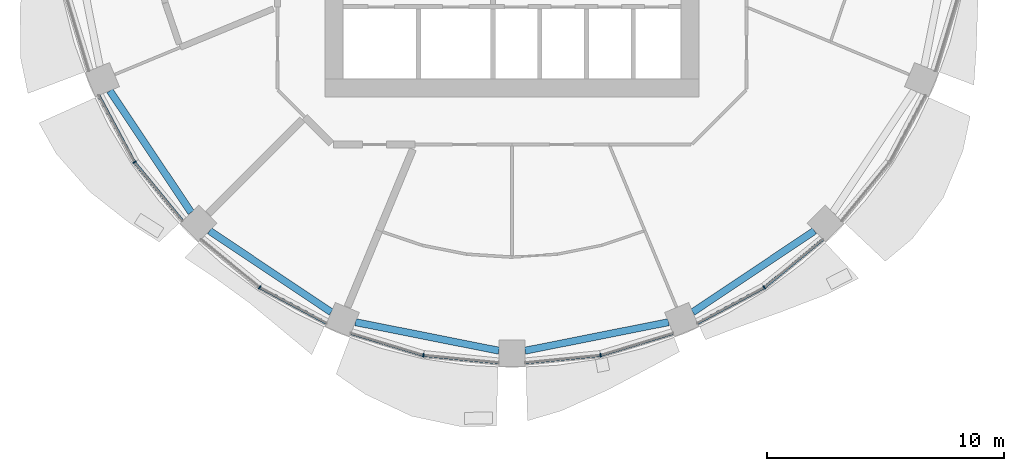
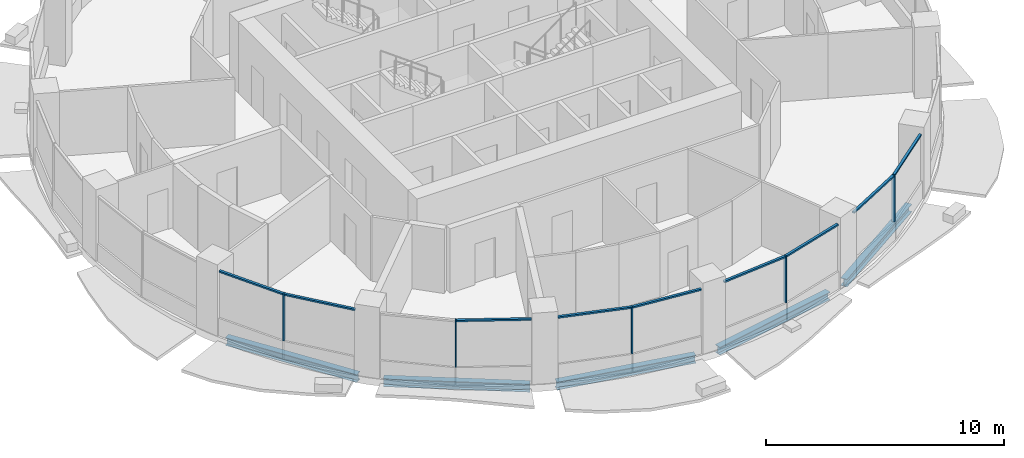
# One storey, part 2 of 14: 14 members, 5 beams, 5 elements without a shape of their own.
"""IFC4 building model written with IfcOpenShell, lengths in metres."""

from ifc_helpers import new_model, si_unit, direction, frame, origin, origin_2d, place, context, subcontext, project, spatial, rectangle, i_section, extrude, material, material_profile, profile_set, type_object, element, aggregate, save


model = new_model("IFC4")

# Units and contexts
model_context = context("Model", 3, precision=1e-05, world=origin(), true_north=direction((0.0, 1.0)))
body_context = subcontext(model_context, "Body", "Model", "MODEL_VIEW")
ifc_project = project(units=[si_unit("LENGTHUNIT", "METRE"), si_unit("AREAUNIT", "SQUARE_METRE"), si_unit("VOLUMEUNIT", "CUBIC_METRE"), si_unit("PLANEANGLEUNIT", "RADIAN"), si_unit("MASSUNIT", "GRAM", prefix="KILO")], contexts=[model_context])

# Site, building, storey
site_placement = place(None, origin())
site = spatial("IfcSite", under=ifc_project, at=site_placement, CompositionType="ELEMENT")
building_placement = place(site_placement, origin())
building = spatial("IfcBuilding", under=site, at=building_placement, Name="Polderwave Tower", CompositionType="ELEMENT")
storey_placement = place(building_placement, frame((0.0, 0.0, 101.949951171875)))
storey = spatial("IfcBuildingStorey", under=building, at=storey_placement, Name="L26", CompositionType="ELEMENT", Elevation=101.949951171875)

# Curtain wall, member
ifc_material_1 = material(Name="Aluminium 6063-T6 and glass", Category="aluminium")
curtain_wall_type = type_object("IfcCurtainWallType", Name="Growing floor ribbon glazing wall", PredefinedType="NOTDEFINED", material=ifc_material_1)
curtain_wall_1_placement = place(storey_placement, origin())
curtain_wall_1 = element("IfcCurtainWall", 1, at=curtain_wall_1_placement, inside=storey, type_object=curtain_wall_type, Name="CW2 L26 09", PredefinedType="NOTDEFINED")
ifc_material_2 = material(Name="Aluminium 6063-T6", Category="aluminium")
ifc_material_profile_1 = material_profile(ifc_material_2, rectangle(XDim=0.14990234375, YDim=0.06005859375, at=origin_2d()), Name="AL 60x150")
ifc_profile_set_1 = profile_set([ifc_material_profile_1], Name="Aluminium 6063-T6")
member_type_1 = type_object("IfcMemberType", Name="Growing floor ribbon glazing mullion 60x150", PredefinedType="MULLION", material=ifc_profile_set_1)
member_1_placement = place(storey_placement, frame((-15.89794921875, -10.623046875, 0.900146484375), z_axis=(0.0, 0.0, 1.0), x_axis=(0.831467672992, 0.555573135393, 0.0)))
member_1 = element("IfcMember", 2, at=member_1_placement, type_object=member_type_1, Name="CW2 mullion 1", PredefinedType="MULLION", context=body_context, shape_type="SweptSolid", body=[
    extrude(rectangle(XDim=0.14990234375, YDim=0.06005859375, at=origin_2d()), origin(), (0.0, 0.0, 1.0), 2.39990234375),
])

curtain_wall_2_placement = place(storey_placement, origin())
curtain_wall_2 = element("IfcCurtainWall", 3, at=curtain_wall_2_placement, inside=storey, type_object=curtain_wall_type, Name="CW2 L26 10", PredefinedType="NOTDEFINED")
member_2_placement = place(storey_placement, frame((-10.623046875, -15.89794921875, 0.900146484375), z_axis=(0.0, 0.0, 1.0), x_axis=(0.555573135393, 0.831467672992, 0.0)))
member_2 = element("IfcMember", 4, at=member_2_placement, type_object=member_type_1, Name="CW2 mullion 1", PredefinedType="MULLION", context=body_context, shape_type="SweptSolid", body=[
    extrude(rectangle(XDim=0.14990234375, YDim=0.06005859375, at=origin_2d()), origin(), (0.0, 0.0, 1.0), 2.39990234375),
])

curtain_wall_3_placement = place(storey_placement, origin())
curtain_wall_3 = element("IfcCurtainWall", 5, at=curtain_wall_3_placement, inside=storey, type_object=curtain_wall_type, Name="CW2 L26 11", PredefinedType="NOTDEFINED")
member_3_placement = place(storey_placement, frame((-3.72998046875, -18.7529296875, 0.900146484375), z_axis=(0.0, 0.0, 1.0), x_axis=(0.195112575278, 0.980780853692, 0.0)))
member_3 = element("IfcMember", 6, at=member_3_placement, type_object=member_type_1, Name="CW2 mullion 1", PredefinedType="MULLION", context=body_context, shape_type="SweptSolid", body=[
    extrude(rectangle(XDim=0.14990234375, YDim=0.06005859375, at=origin_2d()), origin(), (0.0, 0.0, 1.0), 2.39990234375),
])

curtain_wall_4_placement = place(storey_placement, origin())
curtain_wall_4 = element("IfcCurtainWall", 7, at=curtain_wall_4_placement, inside=storey, type_object=curtain_wall_type, Name="CW2 L26 12", PredefinedType="NOTDEFINED")
member_4_placement = place(storey_placement, frame((3.72998046875, -18.7529296875, 0.900146484375), z_axis=(0.0, 0.0, 1.0), x_axis=(-0.195112575278, 0.980780853692, 0.0)))
member_4 = element("IfcMember", 8, at=member_4_placement, type_object=member_type_1, Name="CW2 mullion 1", PredefinedType="MULLION", context=body_context, shape_type="SweptSolid", body=[
    extrude(rectangle(XDim=0.14990234375, YDim=0.06005859375, at=origin_2d()), origin(), (0.0, 0.0, 1.0), 2.39990234375),
])

curtain_wall_5_placement = place(storey_placement, origin())
curtain_wall_5 = element("IfcCurtainWall", 9, at=curtain_wall_5_placement, inside=storey, type_object=curtain_wall_type, Name="CW2 L26 13", PredefinedType="NOTDEFINED")
member_5_placement = place(storey_placement, frame((10.623046875, -15.89794921875, 0.900146484375), z_axis=(0.0, 0.0, 1.0), x_axis=(-0.555573135393, 0.831467672992, 0.0)))
member_5 = element("IfcMember", 10, at=member_5_placement, type_object=member_type_1, Name="CW2 mullion 1", PredefinedType="MULLION", context=body_context, shape_type="SweptSolid", body=[
    extrude(rectangle(XDim=0.14990234375, YDim=0.06005859375, at=origin_2d()), origin(), (0.0, 0.0, 1.0), 2.39990234375),
])

# Member
ifc_material_profile_2 = material_profile(ifc_material_2, rectangle(XDim=0.1201171875, YDim=0.080078125, at=origin_2d()), Name="AL 80x120")
ifc_profile_set_2 = profile_set([ifc_material_profile_2], Name="Aluminium 6063-T6")
member_type_2 = type_object("IfcMemberType", Name="Growing floor ribbon glazing transom 80x120", PredefinedType="USERDEFINED", material=ifc_profile_set_2)
member_6_placement = place(storey_placement, frame((-17.404052734375, -7.803955078125, 3.260009765625), z_axis=(0.471232490074, -0.882009036404, 0.0), x_axis=(0.882009036404, 0.471232490074, 0.0)))
member_6 = element("IfcMember", 11, at=member_6_placement, type_object=member_type_2, Name="CW2 transom 1", ObjectType="TRANSOM", PredefinedType="USERDEFINED", context=body_context, shape_type="SweptSolid", body=[
    extrude(rectangle(XDim=0.1201171875, YDim=0.080078125, at=origin_2d()), origin(), (0.0, 0.0, 1.0), 3.166015625),
])

member_7_placement = place(storey_placement, frame((-15.87890625, -10.646240234375, 3.260009765625), z_axis=(0.634538762198, -0.772891039712, 0.0), x_axis=(0.772891039712, 0.634538762198, 0.0)))
member_7 = element("IfcMember", 12, at=member_7_placement, type_object=member_type_2, Name="CW2 transom 2", ObjectType="TRANSOM", PredefinedType="USERDEFINED", context=body_context, shape_type="SweptSolid", body=[
    extrude(rectangle(XDim=0.1201171875, YDim=0.080078125, at=origin_2d()), origin(), (0.0, 0.0, 1.0), 3.165771484375),
])

aggregate(curtain_wall_1, [member_1, member_6, member_7])

member_8_placement = place(storey_placement, frame((-10.596435546875, -15.912109375, 3.260009765625), z_axis=(0.882009036404, -0.471232490074, 0.0), x_axis=(0.471232490074, 0.882009036404, 0.0)))
member_8 = element("IfcMember", 13, at=member_8_placement, type_object=member_type_2, Name="CW2 transom 2", ObjectType="TRANSOM", PredefinedType="USERDEFINED", context=body_context, shape_type="SweptSolid", body=[
    extrude(rectangle(XDim=0.1201171875, YDim=0.080078125, at=origin_2d()), origin(), (0.0, 0.0, 1.0), 3.166015625),
])

aggregate(curtain_wall_2, [member_2, member_8])

member_9_placement = place(storey_placement, frame((-6.7880859375, -17.824951171875, 3.260009765625), z_axis=(0.956895886584, -0.290431166093, 0.0), x_axis=(0.290431166093, 0.956895886584, 0.0)))
member_9 = element("IfcMember", 14, at=member_9_placement, type_object=member_type_2, Name="CW2 transom 1", ObjectType="TRANSOM", PredefinedType="USERDEFINED", context=body_context, shape_type="SweptSolid", body=[
    extrude(rectangle(XDim=0.1201171875, YDim=0.080078125, at=origin_2d()), origin(), (0.0, 0.0, 1.0), 3.165771484375),
])

member_10_placement = place(storey_placement, frame((-3.7001953125, -18.755859375, 3.260009765625), z_axis=(0.995191003597, -0.097953388713, 0.0), x_axis=(0.097953388713, 0.995191003597, 0.0)))
member_10 = element("IfcMember", 15, at=member_10_placement, type_object=member_type_2, Name="CW2 transom 2", ObjectType="TRANSOM", PredefinedType="USERDEFINED", context=body_context, shape_type="SweptSolid", body=[
    extrude(rectangle(XDim=0.1201171875, YDim=0.080078125, at=origin_2d()), origin(), (0.0, 0.0, 1.0), 3.165283203125),
])

aggregate(curtain_wall_3, [member_3, member_9, member_10])

member_11_placement = place(storey_placement, frame((0.550048828125, -19.06591796875, 3.260009765625), z_axis=(0.995191003597, 0.097953388713, 0.0), x_axis=(-0.097953388713, 0.995191003597, 0.0)))
member_11 = element("IfcMember", 16, at=member_11_placement, type_object=member_type_2, Name="CW2 transom 1", ObjectType="TRANSOM", PredefinedType="USERDEFINED", context=body_context, shape_type="SweptSolid", body=[
    extrude(rectangle(XDim=0.1201171875, YDim=0.080078125, at=origin_2d()), origin(), (0.0, 0.0, 1.0), 3.165283203125),
])

member_12_placement = place(storey_placement, frame((3.7587890625, -18.744384765625, 3.260009765625), z_axis=(0.956895886584, 0.290431166093, 0.0), x_axis=(-0.290431166093, 0.956895886584, 0.0)))
member_12 = element("IfcMember", 17, at=member_12_placement, type_object=member_type_2, Name="CW2 transom 2", ObjectType="TRANSOM", PredefinedType="USERDEFINED", context=body_context, shape_type="SweptSolid", body=[
    extrude(rectangle(XDim=0.1201171875, YDim=0.080078125, at=origin_2d()), origin(), (0.0, 0.0, 1.0), 3.165771484375),
])

aggregate(curtain_wall_4, [member_4, member_11, member_12])

member_13_placement = place(storey_placement, frame((7.803955078125, -17.404052734375, 3.260009765625), z_axis=(0.882009036404, 0.471232490074, 0.0), x_axis=(-0.471232490074, 0.882009036404, 0.0)))
member_13 = element("IfcMember", 18, at=member_13_placement, type_object=member_type_2, Name="CW2 transom 1", ObjectType="TRANSOM", PredefinedType="USERDEFINED", context=body_context, shape_type="SweptSolid", body=[
    extrude(rectangle(XDim=0.1201171875, YDim=0.080078125, at=origin_2d()), origin(), (0.0, 0.0, 1.0), 3.166015625),
])

member_14_placement = place(storey_placement, frame((10.646240234375, -15.87890625, 3.260009765625), z_axis=(0.772891039712, 0.634538762198, 0.0), x_axis=(-0.634538762198, 0.772891039712, 0.0)))
member_14 = element("IfcMember", 19, at=member_14_placement, type_object=member_type_2, Name="CW2 transom 2", ObjectType="TRANSOM", PredefinedType="USERDEFINED", context=body_context, shape_type="SweptSolid", body=[
    extrude(rectangle(XDim=0.1201171875, YDim=0.080078125, at=origin_2d()), origin(), (0.0, 0.0, 1.0), 3.165771484375),
])

aggregate(curtain_wall_5, [member_5, member_13, member_14])

# Beams
ifc_material_3 = material(Name="Steel S355", Category="steel")
ifc_material_profile_3 = material_profile(ifc_material_3, i_section(OverallWidth=0.300048828125, OverallDepth=0.39990234375, WebThickness=0.013427734375, FlangeThickness=0.02392578125, at=origin_2d()), Name="HE 400 B")
ifc_profile_set_3 = profile_set([ifc_material_profile_3], Name="Steel S355")
beam_type = type_object("IfcBeamType", Name="RING BEAM HE 400 B", PredefinedType="BEAM", material=ifc_profile_set_3)
for number, where, z_axis, x_axis, name in (
    (20, (-16.937255859375, -7.611083984375, -0.550048828125), (0.555586625808, -0.831458658758, 0.0), (0.831458658758, 0.555586625808, 0.0), "ST-RB-L26-09"),
    (21, (-12.7353515625, -13.51318359375, -0.550048828125), (0.831458658758, -0.555586625808, 0.0), (0.555586625808, 0.831458658758, 0.0), "ST-RB-L26-10"),
    (22, (-6.5947265625, -17.358154296875, -0.550048828125), (0.980784304918, -0.195095226048, 0.0), (0.195095226048, 0.980784304918, 0.0), "ST-RB-L26-11"),
    (23, (0.550048828125, -18.560546875, -0.550048828125), (0.980784304918, 0.195095226048, 0.0), (-0.195095226048, 0.980784304918, 0.0), "ST-RB-L26-12"),
    (24, (7.611083984375, -16.937255859375, -0.550048828125), (0.831458658758, 0.555586625808, 0.0), (-0.555586625808, 0.831458658758, 0.0), "ST-RB-L26-13"),
):
    element("IfcBeam", number, at=place(storey_placement, frame(where, z_axis=z_axis, x_axis=x_axis)), inside=storey, type_object=beam_type, Name=name, PredefinedType="BEAM", context=body_context, shape_type="SweptSolid", body=[
        extrude(i_section(OverallWidth=0.300048828125, OverallDepth=0.39990234375, WebThickness=0.013427734375, FlangeThickness=0.02392578125, at=origin_2d()), origin(), (0.0, 0.0, 1.0), 6.1630859375),
    ])

save(model, "model.ifc")
